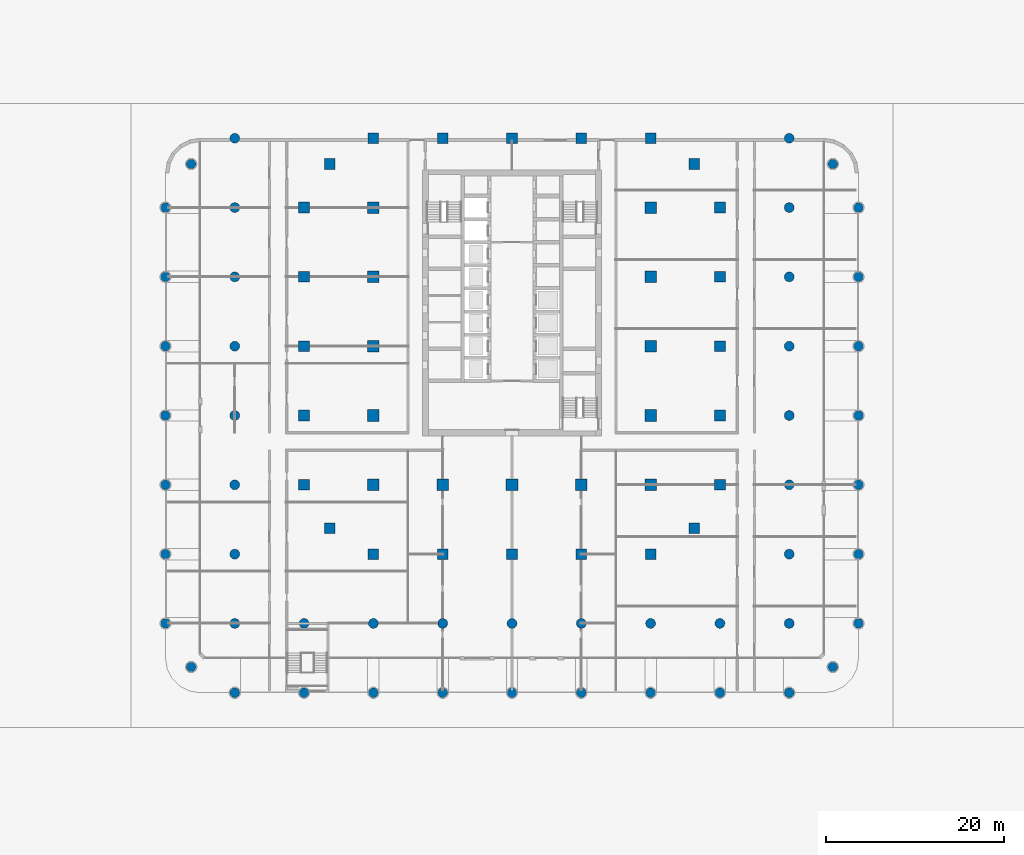
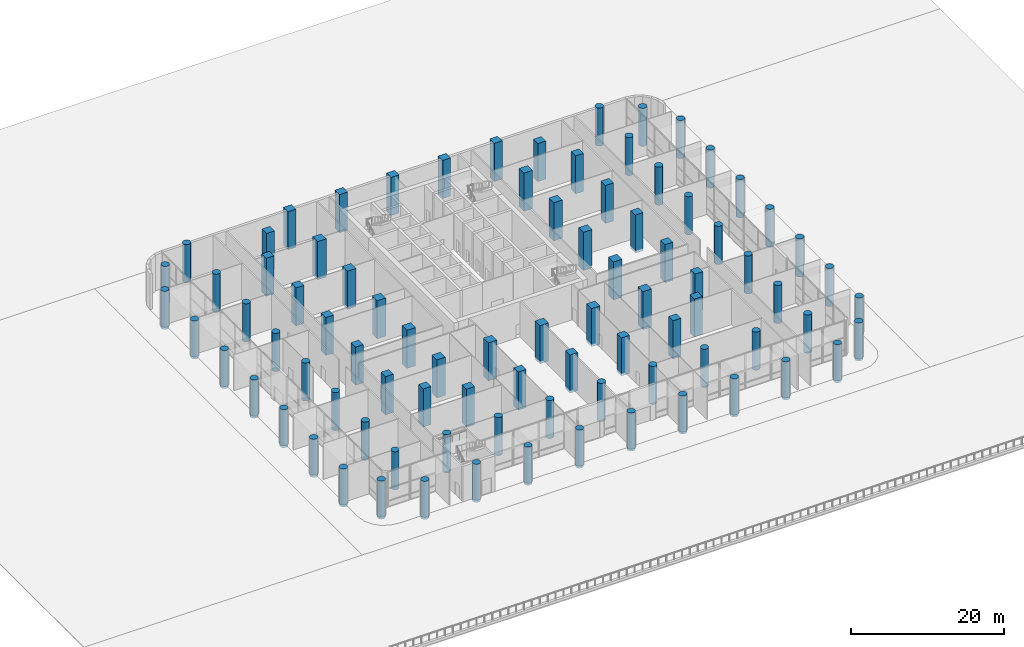
# One storey, part 1 of 32: 87 columns.
"""IFC4 building model written with IfcOpenShell, lengths in metres."""

from ifc_helpers import new_model, si_unit, direction, frame, origin, origin_2d, place, context, subcontext, project, spatial, rectangle, circle, extrude, material, material_profile, profile_set, type_object, element, save


model = new_model("IFC4")

# Units and contexts
model_context = context("Model", 3, precision=1e-05, world=origin(), true_north=direction((0.0, 1.0)))
body_context = subcontext(model_context, "Body", "Model", "MODEL_VIEW")
ifc_project = project(units=[si_unit("LENGTHUNIT", "METRE"), si_unit("AREAUNIT", "SQUARE_METRE"), si_unit("VOLUMEUNIT", "CUBIC_METRE"), si_unit("PLANEANGLEUNIT", "RADIAN"), si_unit("MASSUNIT", "GRAM", prefix="KILO")], contexts=[model_context])

# Site, building, storey
site_placement = place(None, origin())
site = spatial("IfcSite", under=ifc_project, at=site_placement, CompositionType="ELEMENT")
building_placement = place(site_placement, origin())
building = spatial("IfcBuilding", under=site, at=building_placement, Name="Ludao Terraces", CompositionType="ELEMENT")
storey_placement = place(building_placement, origin())
storey = spatial("IfcBuildingStorey", under=building, at=storey_placement, Name="L00", CompositionType="ELEMENT", Elevation=0.0)

# Columns
ifc_material = material(Name="Concrete C60", Category="concrete")
ifc_material_profile_1 = material_profile(ifc_material, rectangle(XDim=1.199951171875, YDim=1.199951171875, at=origin_2d()), Name="1200 X 1200")
ifc_profile_set_1 = profile_set([ifc_material_profile_1], Name="Concrete C60")
column_type_1 = type_object("IfcColumnType", Name="RC column 1200x1200 C60", PredefinedType="COLUMN", material=ifc_profile_set_1)
for number, where, z_axis, x_axis, name in (
    (1, (64.5, 44.5, -0.39990234375), (0.0, 0.0, 1.0), (1.0, 0.0, 0.0), "Column L00 C0029x0029"),
    (2, (105.5, 44.5, -0.39990234375), (0.0, 0.0, 1.0), (1.0, 0.0, 0.0), "Column L00 C0439x0029"),
    (3, (64.5, 85.5, -0.39990234375), (0.0, 0.0, 1.0), (1.0, 0.0, 0.0), "Column L00 C0029x0439"),
    (4, (105.5, 85.5, -0.39990234375), (0.0, 0.0, 1.0), (1.0, 0.0, 0.0), "Column L00 C0439x0439"),
    (5, (61.60009765625, 49.39990234375, -0.39990234375), (0.0, 0.0, 1.0), (1.0, 0.0, 0.0), "Column L00 F0000x0078"),
    (6, (108.39990234375, 49.39990234375, -0.39990234375), (0.0, 0.0, 1.0), (1.0, 0.0, 0.0), "Column L00 F0468x0078"),
    (7, (69.39990234375, 41.60009765625, -0.39990234375), (0.0, 0.0, 1.0), (1.0, 0.0, 0.0), "Column L00 F0078x0000"),
    (8, (69.39990234375, 88.39990234375, -0.39990234375), (0.0, 0.0, 1.0), (1.0, 0.0, 0.0), "Column L00 F0078x0468"),
    (9, (61.60009765625, 57.199951171875, -0.39990234375), (0.0, 0.0, 1.0), (1.0, 0.0, 0.0), "Column L00 F0000x0156"),
    (10, (108.39990234375, 57.199951171875, -0.39990234375), (0.0, 0.0, 1.0), (1.0, 0.0, 0.0), "Column L00 F0468x0156"),
    (11, (77.199951171875, 41.60009765625, -0.39990234375), (0.0, 0.0, 1.0), (1.0, 0.0, 0.0), "Column L00 F0156x0000"),
    (12, (77.199951171875, 88.39990234375, -0.39990234375), (0.0, 0.0, 1.0), (1.0, 0.0, 0.0), "Column L00 F0156x0468"),
    (13, (61.60009765625, 65.0, -0.39990234375), (0.0, 0.0, 1.0), (1.0, 0.0, 0.0), "Column L00 F0000x0234"),
    (14, (108.39990234375, 65.0, -0.39990234375), (0.0, 0.0, 1.0), (1.0, 0.0, 0.0), "Column L00 F0468x0234"),
    (15, (85.0, 41.60009765625, -0.39990234375), (0.0, 0.0, 1.0), (1.0, 0.0, 0.0), "Column L00 F0234x0000"),
    (16, (85.0, 88.39990234375, -0.39990234375), (0.0, 0.0, 1.0), (1.0, 0.0, 0.0), "Column L00 F0234x0468"),
    (17, (61.60009765625, 72.800048828125, -0.39990234375), (0.0, 0.0, 1.0), (1.0, 0.0, 0.0), "Column L00 F0000x0312"),
    (18, (108.39990234375, 72.800048828125, -0.39990234375), (0.0, 0.0, 1.0), (1.0, 0.0, 0.0), "Column L00 F0468x0312"),
    (19, (92.800048828125, 41.60009765625, -0.39990234375), (0.0, 0.0, 1.0), (1.0, 0.0, 0.0), "Column L00 F0312x0000"),
    (20, (92.800048828125, 88.39990234375, -0.39990234375), (0.0, 0.0, 1.0), (1.0, 0.0, 0.0), "Column L00 F0312x0468"),
    (21, (61.60009765625, 80.60009765625, -0.39990234375), (0.0, 0.0, 1.0), (1.0, 0.0, 0.0), "Column L00 F0000x0390"),
    (22, (108.39990234375, 80.60009765625, -0.39990234375), (0.0, 0.0, 1.0), (1.0, 0.0, 0.0), "Column L00 F0468x0390"),
    (23, (100.60009765625, 41.60009765625, -0.39990234375), (0.0, 0.0, 1.0), (1.0, 0.0, 0.0), "Column L00 F0390x0000"),
    (24, (100.60009765625, 88.39990234375, -0.39990234375), (0.0, 0.0, 1.0), (1.0, 0.0, 0.0), "Column L00 F0390x0468"),
):
    element("IfcColumn", number, at=place(storey_placement, frame(where, z_axis=z_axis, x_axis=x_axis)), inside=storey, type_object=column_type_1, Name=name, PredefinedType="COLUMN", context=body_context, shape_type="SweptSolid", body=[
        extrude(rectangle(XDim=1.199951171875, YDim=1.199951171875, at=origin_2d()), origin(), (0.0, 0.0, 1.0), 6.099853515625),
    ])
ifc_material_profile_2 = material_profile(ifc_material, rectangle(XDim=1.300048828125, YDim=1.300048828125, at=origin_2d()), Name="1300 X 1300")
ifc_profile_set_2 = profile_set([ifc_material_profile_2], Name="Concrete C60")
column_type_2 = type_object("IfcColumnType", Name="RC column 1300x1300 C60", PredefinedType="COLUMN", material=ifc_profile_set_2)
for number, where, z_axis, x_axis, name in (
    (25, (69.39990234375, 49.39990234375, -0.39990234375), (0.0, 0.0, 1.0), (1.0, 0.0, 0.0), "Column L00 S0078x0078"),
    (26, (69.39990234375, 57.199951171875, -0.39990234375), (0.0, 0.0, 1.0), (1.0, 0.0, 0.0), "Column L00 S0078x0156"),
    (27, (69.39990234375, 65.0, -0.39990234375), (0.0, 0.0, 1.0), (1.0, 0.0, 0.0), "Column L00 S0078x0234"),
    (28, (69.39990234375, 72.800048828125, -0.39990234375), (0.0, 0.0, 1.0), (1.0, 0.0, 0.0), "Column L00 S0078x0312"),
    (29, (69.39990234375, 80.60009765625, -0.39990234375), (0.0, 0.0, 1.0), (1.0, 0.0, 0.0), "Column L00 S0078x0390"),
    (30, (77.199951171875, 49.39990234375, -0.39990234375), (0.0, 0.0, 1.0), (1.0, 0.0, 0.0), "Column L00 S0156x0078"),
    (31, (85.0, 49.39990234375, -0.39990234375), (0.0, 0.0, 1.0), (1.0, 0.0, 0.0), "Column L00 S0234x0078"),
    (32, (92.800048828125, 49.39990234375, -0.39990234375), (0.0, 0.0, 1.0), (1.0, 0.0, 0.0), "Column L00 S0312x0078"),
    (33, (100.60009765625, 49.39990234375, -0.39990234375), (0.0, 0.0, 1.0), (1.0, 0.0, 0.0), "Column L00 S0390x0078"),
    (34, (100.60009765625, 57.199951171875, -0.39990234375), (0.0, 0.0, 1.0), (1.0, 0.0, 0.0), "Column L00 S0390x0156"),
    (35, (100.60009765625, 65.0, -0.39990234375), (0.0, 0.0, 1.0), (1.0, 0.0, 0.0), "Column L00 S0390x0234"),
    (36, (100.60009765625, 72.800048828125, -0.39990234375), (0.0, 0.0, 1.0), (1.0, 0.0, 0.0), "Column L00 S0390x0312"),
    (37, (100.60009765625, 80.60009765625, -0.39990234375), (0.0, 0.0, 1.0), (1.0, 0.0, 0.0), "Column L00 S0390x0390"),
):
    element("IfcColumn", number, at=place(storey_placement, frame(where, z_axis=z_axis, x_axis=x_axis)), inside=storey, type_object=column_type_2, Name=name, PredefinedType="COLUMN", context=body_context, shape_type="SweptSolid", body=[
        extrude(rectangle(XDim=1.300048828125, YDim=1.300048828125, at=origin_2d()), origin(), (0.0, 0.0, 1.0), 6.099853515625),
    ])
ifc_material_profile_3 = material_profile(ifc_material, circle(Radius=0.550048828125, at=origin_2d()), Name="D1100")
ifc_profile_set_3 = profile_set([ifc_material_profile_3], Name="Concrete C60")
column_type_3 = type_object("IfcColumnType", Name="RC column D1100 C60", PredefinedType="COLUMN", material=ifc_profile_set_3)
for number, where, z_axis, x_axis, name in (
    (38, (48.89990234375, 28.89990234375, -0.39990234375), (0.0, 0.0, 1.0), (1.0, 0.0, 0.0), "Column L00 G-127x-127"),
    (39, (46.0, 33.800048828125, -0.39990234375), (0.0, 0.0, 1.0), (1.0, 0.0, 0.0), "Column L00 G-156x-078"),
    (40, (46.0, 41.60009765625, -0.39990234375), (0.0, 0.0, 1.0), (1.0, 0.0, 0.0), "Column L00 G-156x0000"),
    (41, (46.0, 49.39990234375, -0.39990234375), (0.0, 0.0, 1.0), (1.0, 0.0, 0.0), "Column L00 G-156x0078"),
    (42, (46.0, 57.199951171875, -0.39990234375), (0.0, 0.0, 1.0), (1.0, 0.0, 0.0), "Column L00 G-156x0156"),
    (43, (46.0, 65.0, -0.39990234375), (0.0, 0.0, 1.0), (1.0, 0.0, 0.0), "Column L00 G-156x0234"),
    (44, (46.0, 72.800048828125, -0.39990234375), (0.0, 0.0, 1.0), (1.0, 0.0, 0.0), "Column L00 G-156x0312"),
    (45, (46.0, 80.60009765625, -0.39990234375), (0.0, 0.0, 1.0), (1.0, 0.0, 0.0), "Column L00 G-156x0390"),
    (46, (48.89990234375, 85.5, -0.39990234375), (0.0, 0.0, 1.0), (1.0, 0.0, 0.0), "Column L00 G-127x0439"),
    (47, (53.800048828125, 26.0, -0.39990234375), (0.0, 0.0, 1.0), (1.0, 0.0, 0.0), "Column L00 G-078x-156"),
    (48, (53.800048828125, 33.800048828125, -0.39990234375), (0.0, 0.0, 1.0), (1.0, 0.0, 0.0), "Column L00 G-078x-078"),
    (49, (53.800048828125, 41.60009765625, -0.39990234375), (0.0, 0.0, 1.0), (1.0, 0.0, 0.0), "Column L00 G-078x0000"),
    (50, (53.800048828125, 49.39990234375, -0.39990234375), (0.0, 0.0, 1.0), (1.0, 0.0, 0.0), "Column L00 G-078x0078"),
    (51, (53.800048828125, 57.199951171875, -0.39990234375), (0.0, 0.0, 1.0), (1.0, 0.0, 0.0), "Column L00 G-078x0156"),
    (52, (53.800048828125, 65.0, -0.39990234375), (0.0, 0.0, 1.0), (1.0, 0.0, 0.0), "Column L00 G-078x0234"),
    (53, (53.800048828125, 72.800048828125, -0.39990234375), (0.0, 0.0, 1.0), (1.0, 0.0, 0.0), "Column L00 G-078x0312"),
    (54, (53.800048828125, 80.60009765625, -0.39990234375), (0.0, 0.0, 1.0), (1.0, 0.0, 0.0), "Column L00 G-078x0390"),
    (55, (53.800048828125, 88.39990234375, -0.39990234375), (0.0, 0.0, 1.0), (1.0, 0.0, 0.0), "Column L00 G-078x0468"),
    (56, (61.60009765625, 26.0, -0.39990234375), (0.0, 0.0, 1.0), (1.0, 0.0, 0.0), "Column L00 G0000x-156"),
    (57, (61.60009765625, 33.800048828125, -0.39990234375), (0.0, 0.0, 1.0), (1.0, 0.0, 0.0), "Column L00 G0000x-078"),
    (58, (69.39990234375, 26.0, -0.39990234375), (0.0, 0.0, 1.0), (1.0, 0.0, 0.0), "Column L00 G0078x-156"),
    (59, (69.39990234375, 33.800048828125, -0.39990234375), (0.0, 0.0, 1.0), (1.0, 0.0, 0.0), "Column L00 G0078x-078"),
    (60, (77.199951171875, 26.0, -0.39990234375), (0.0, 0.0, 1.0), (1.0, 0.0, 0.0), "Column L00 G0156x-156"),
    (61, (77.199951171875, 33.800048828125, -0.39990234375), (0.0, 0.0, 1.0), (1.0, 0.0, 0.0), "Column L00 G0156x-078"),
    (62, (85.0, 26.0, -0.39990234375), (0.0, 0.0, 1.0), (1.0, 0.0, 0.0), "Column L00 G0234x-156"),
    (63, (85.0, 33.800048828125, -0.39990234375), (0.0, 0.0, 1.0), (1.0, 0.0, 0.0), "Column L00 G0234x-078"),
    (64, (92.800048828125, 26.0, -0.39990234375), (0.0, 0.0, 1.0), (1.0, 0.0, 0.0), "Column L00 G0312x-156"),
    (65, (92.800048828125, 33.800048828125, -0.39990234375), (0.0, 0.0, 1.0), (1.0, 0.0, 0.0), "Column L00 G0312x-078"),
    (66, (100.60009765625, 26.0, -0.39990234375), (0.0, 0.0, 1.0), (1.0, 0.0, 0.0), "Column L00 G0390x-156"),
    (67, (100.60009765625, 33.800048828125, -0.39990234375), (0.0, 0.0, 1.0), (1.0, 0.0, 0.0), "Column L00 G0390x-078"),
    (68, (108.39990234375, 26.0, -0.39990234375), (0.0, 0.0, 1.0), (1.0, 0.0, 0.0), "Column L00 G0468x-156"),
    (69, (108.39990234375, 33.800048828125, -0.39990234375), (0.0, 0.0, 1.0), (1.0, 0.0, 0.0), "Column L00 G0468x-078"),
    (70, (116.199951171875, 26.0, -0.39990234375), (0.0, 0.0, 1.0), (1.0, 0.0, 0.0), "Column L00 G0546x-156"),
    (71, (116.199951171875, 33.800048828125, -0.39990234375), (0.0, 0.0, 1.0), (1.0, 0.0, 0.0), "Column L00 G0546x-078"),
    (72, (116.199951171875, 41.60009765625, -0.39990234375), (0.0, 0.0, 1.0), (1.0, 0.0, 0.0), "Column L00 G0546x0000"),
    (73, (116.199951171875, 49.39990234375, -0.39990234375), (0.0, 0.0, 1.0), (1.0, 0.0, 0.0), "Column L00 G0546x0078"),
    (74, (116.199951171875, 57.199951171875, -0.39990234375), (0.0, 0.0, 1.0), (1.0, 0.0, 0.0), "Column L00 G0546x0156"),
    (75, (116.199951171875, 65.0, -0.39990234375), (0.0, 0.0, 1.0), (1.0, 0.0, 0.0), "Column L00 G0546x0234"),
    (76, (116.199951171875, 72.800048828125, -0.39990234375), (0.0, 0.0, 1.0), (1.0, 0.0, 0.0), "Column L00 G0546x0312"),
    (77, (116.199951171875, 80.60009765625, -0.39990234375), (0.0, 0.0, 1.0), (1.0, 0.0, 0.0), "Column L00 G0546x0390"),
    (78, (116.199951171875, 88.39990234375, -0.39990234375), (0.0, 0.0, 1.0), (1.0, 0.0, 0.0), "Column L00 G0546x0468"),
    (79, (121.10009765625, 28.89990234375, -0.39990234375), (0.0, 0.0, 1.0), (1.0, 0.0, 0.0), "Column L00 G0595x-127"),
    (80, (124.0, 33.800048828125, -0.39990234375), (0.0, 0.0, 1.0), (1.0, 0.0, 0.0), "Column L00 G0624x-078"),
    (81, (124.0, 41.60009765625, -0.39990234375), (0.0, 0.0, 1.0), (1.0, 0.0, 0.0), "Column L00 G0624x0000"),
    (82, (124.0, 49.39990234375, -0.39990234375), (0.0, 0.0, 1.0), (1.0, 0.0, 0.0), "Column L00 G0624x0078"),
    (83, (124.0, 57.199951171875, -0.39990234375), (0.0, 0.0, 1.0), (1.0, 0.0, 0.0), "Column L00 G0624x0156"),
    (84, (124.0, 65.0, -0.39990234375), (0.0, 0.0, 1.0), (1.0, 0.0, 0.0), "Column L00 G0624x0234"),
    (85, (124.0, 72.800048828125, -0.39990234375), (0.0, 0.0, 1.0), (1.0, 0.0, 0.0), "Column L00 G0624x0312"),
    (86, (124.0, 80.60009765625, -0.39990234375), (0.0, 0.0, 1.0), (1.0, 0.0, 0.0), "Column L00 G0624x0390"),
    (87, (121.10009765625, 85.5, -0.39990234375), (0.0, 0.0, 1.0), (1.0, 0.0, 0.0), "Column L00 G0595x0439"),
):
    element("IfcColumn", number, at=place(storey_placement, frame(where, z_axis=z_axis, x_axis=x_axis)), inside=storey, type_object=column_type_3, Name=name, PredefinedType="COLUMN", context=body_context, shape_type="SweptSolid", body=[
        extrude(circle(Radius=0.550048828125, at=origin_2d()), origin(), (0.0, 0.0, 1.0), 6.099853515625),
    ])

save(model, "model.ifc")
